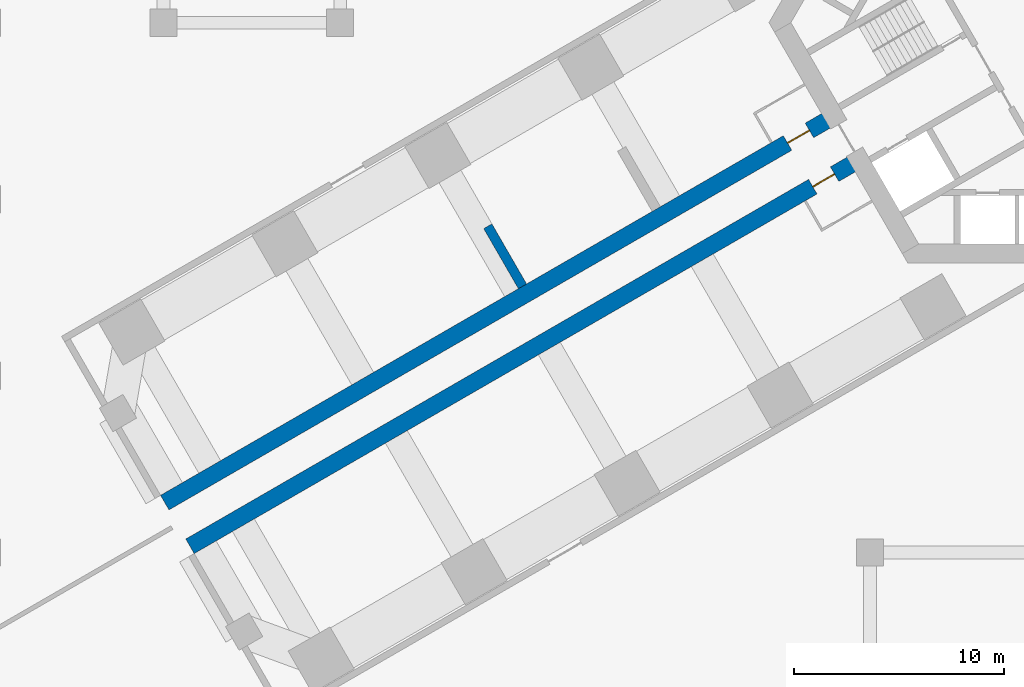
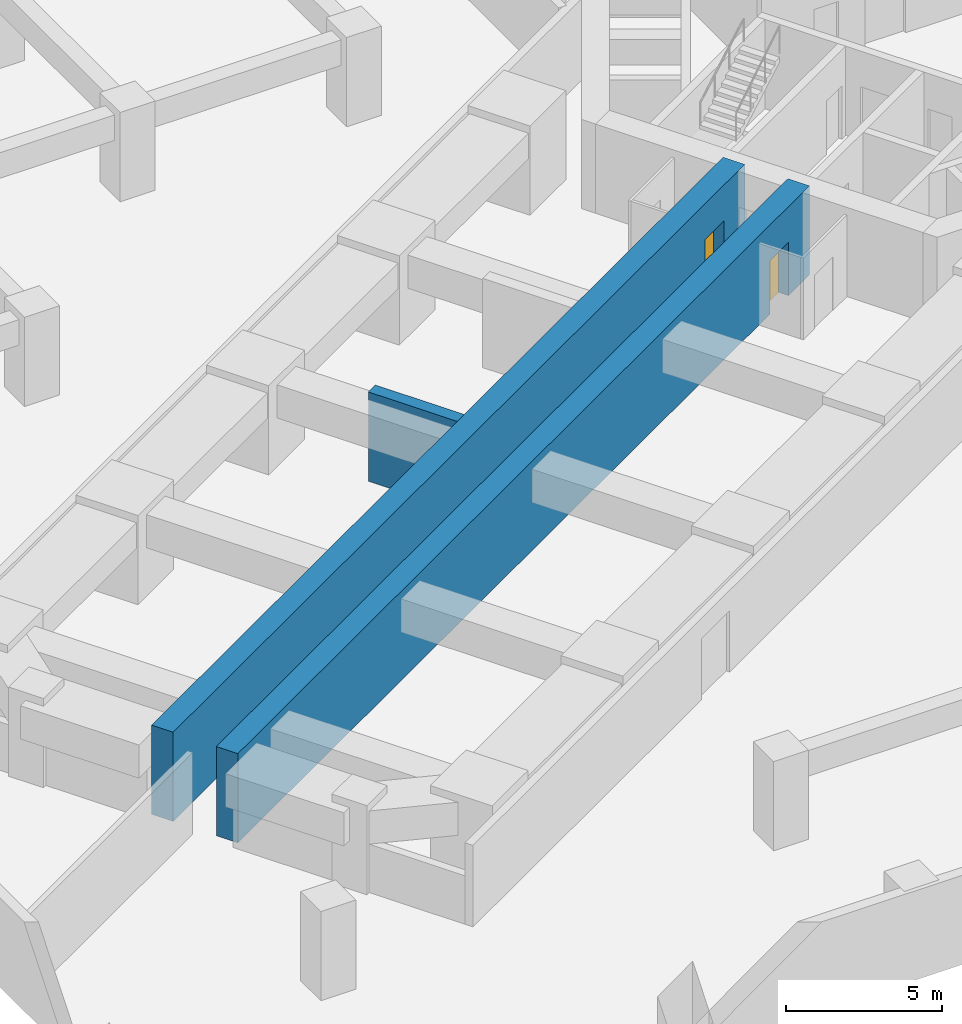
# One storey, part 4 of 11: 3 walls, 2 doors, 2 openings.
"""IFC4 building model written with IfcOpenShell, lengths in metres."""

from ifc_helpers import new_model, si_unit, direction, frame, frame_2d, origin, place, context, subcontext, project, spatial, rectangle, extrude, material, layer, layer_set, type_object, element, fill, save


model = new_model("IFC4")

# Units and contexts
model_context = context("Model", 3, precision=1e-05, world=origin(), true_north=direction((0.0, 1.0)))
body_context = subcontext(model_context, "Body", "Model", "MODEL_VIEW")
ifc_project = project(units=[si_unit("LENGTHUNIT", "METRE"), si_unit("AREAUNIT", "SQUARE_METRE"), si_unit("VOLUMEUNIT", "CUBIC_METRE"), si_unit("PLANEANGLEUNIT", "RADIAN"), si_unit("MASSUNIT", "GRAM", prefix="KILO")], contexts=[model_context])

# Site, building, storey
site_placement = place(None, origin())
site = spatial("IfcSite", under=ifc_project, at=site_placement, CompositionType="ELEMENT")
building_placement = place(site_placement, origin())
building = spatial("IfcBuilding", under=site, at=building_placement, Name="Impinga Residences", CompositionType="ELEMENT")
storey_placement = place(building_placement, frame((0.0, 0.0, -7.0)))
storey = spatial("IfcBuildingStorey", under=building, at=storey_placement, Name="B2", CompositionType="ELEMENT", Elevation=-7.0)

# Wall, opening, door
ifc_material_1 = material(Name="Concrete C70/85", Category="concrete")
ifc_layer_1 = layer(ifc_material_1, 0.800048828125)
ifc_layer_set_1 = layer_set([ifc_layer_1], Name="Concrete C70/85")
wall_type_1 = type_object("IfcWallType", Name="BW0 corridor buttress wall, B3 to L04 800", PredefinedType="SHEAR", material=ifc_layer_set_1)
wall_1_placement = place(storey_placement, frame((-8.910400390625, -6.530029296875, 0.0), z_axis=(0.0, 0.0, 1.0), x_axis=(-0.866025284237, -0.500000207062, 0.0)))
wall_1 = element("IfcWall", 1, at=wall_1_placement, inside=storey, type_object=wall_type_1, Name="Corridor wall BW0 WC B2", PredefinedType="SHEAR", context=body_context, shape_type="SweptSolid", body=[
    extrude(rectangle(XDim=36.75, YDim=0.800048828125, at=frame_2d((18.375, 0.0))), origin(), (0.0, 0.0, 1.0), 3.5),
])
opening_1_placement = place(wall_1_placement, frame((1.35009765625, 0.0, 0.0)))
opening_1 = element("IfcOpeningElement", 2, at=opening_1_placement, cuts=wall_1, Name="Opening D3", PredefinedType="OPENING", context=body_context, shape_type="SweptSolid", body=[
    extrude(rectangle(XDim=1.199951171875, YDim=2.10009765625, at=frame_2d((0.60009765625, 1.050048828125))), frame((0.0, 0.409912109375, 0.0), z_axis=(0.0, -1.0, 0.0), x_axis=(1.0, 0.0, 0.0)), (0.0, 0.0, 1.0), 0.820068359375),
])
ifc_material_2 = material(Name="Timber door set", Category="wood")
door_type = type_object("IfcDoorType", Name="D3 room door, leaf and a half 1200x2100", OperationType="DOUBLE_SWING_LEFT", PredefinedType="DOOR", material=ifc_material_2)
door_1_placement = place(opening_1_placement, origin())
door_1 = element("IfcDoor", 3, at=door_1_placement, inside=storey, type_object=door_type, Name="Storage cages lobby door B2-WA1", OperationType="DOUBLE_SWING_LEFT", OverallHeight=2.10009765625, OverallWidth=1.199951171875, PredefinedType="DOOR", context=body_context, shape_type="SweptSolid", body=[
    extrude(rectangle(XDim=1.199951171875, YDim=2.10009765625, at=frame_2d((0.60009765625, 1.050048828125))), frame((0.0, 0.02490234375, 0.0), z_axis=(0.0, -1.0, 0.0), x_axis=(1.0, 0.0, 0.0)), (0.0, 0.0, 1.0), 0.050048828125),
])
fill(opening_1, door_1)

wall_2_placement = place(storey_placement, frame((-10.1103515625, -4.451416015625, 0.0), z_axis=(0.0, 0.0, 1.0), x_axis=(-0.866025284237, -0.500000207062, 0.0)))
wall_2 = element("IfcWall", 4, at=wall_2_placement, inside=storey, type_object=wall_type_1, Name="Corridor wall BW0 WD B2", PredefinedType="SHEAR", context=body_context, shape_type="SweptSolid", body=[
    extrude(rectangle(XDim=36.75, YDim=0.800048828125, at=frame_2d((18.375, 0.0))), origin(), (0.0, 0.0, 1.0), 3.5),
])
opening_2_placement = place(wall_2_placement, frame((1.35009765625, 0.0, 0.0)))
opening_2 = element("IfcOpeningElement", 5, at=opening_2_placement, cuts=wall_2, Name="Opening D3", PredefinedType="OPENING", context=body_context, shape_type="SweptSolid", body=[
    extrude(rectangle(XDim=1.199951171875, YDim=2.10009765625, at=frame_2d((0.60009765625, 1.050048828125))), frame((0.0, 0.409912109375, 0.0), z_axis=(0.0, -1.0, 0.0), x_axis=(1.0, 0.0, 0.0)), (0.0, 0.0, 1.0), 0.820068359375),
])
door_2_placement = place(opening_2_placement, origin())
door_2 = element("IfcDoor", 6, at=door_2_placement, inside=storey, type_object=door_type, Name="Bicycle store lobby door B2-WF1", OperationType="DOUBLE_SWING_LEFT", OverallHeight=2.10009765625, OverallWidth=1.199951171875, PredefinedType="DOOR", context=body_context, shape_type="SweptSolid", body=[
    extrude(rectangle(XDim=1.199951171875, YDim=2.10009765625, at=frame_2d((0.60009765625, 1.050048828125))), frame((0.0, 0.02490234375, 0.0), z_axis=(0.0, -1.0, 0.0), x_axis=(1.0, 0.0, 0.0)), (0.0, 0.0, 1.0), 0.050048828125),
])
fill(opening_2, door_2)

# Wall
ifc_material_3 = material(Name="Concrete C60/75", Category="concrete")
ifc_layer_2 = layer(ifc_material_3, 0.449951171875)
ifc_layer_set_2 = layer_set([ifc_layer_2], Name="Concrete C60/75")
wall_type_2 = type_object("IfcWallType", Name="SE3 wing stair end wall carried down to the raft, basements 450", PredefinedType="SOLIDWALL", material=ifc_layer_set_2)
wall_3_placement = place(storey_placement, frame((-24.924560546875, -12.542724609375, 0.0), z_axis=(0.0, 0.0, 1.0), x_axis=(-0.499974350878, 0.866040211805, 0.0)))
element("IfcWall", 7, at=wall_3_placement, inside=storey, type_object=wall_type_2, Name="Stair enclosure wall SE3 W END1 B2", PredefinedType="SOLIDWALL", context=body_context, shape_type="SweptSolid", body=[
    extrude(rectangle(XDim=3.300048828125, YDim=0.449951171875, at=frame_2d((1.64990234375, 0.0))), origin(), (0.0, 0.0, 1.0), 3.5),
])

save(model, "model.ifc")
